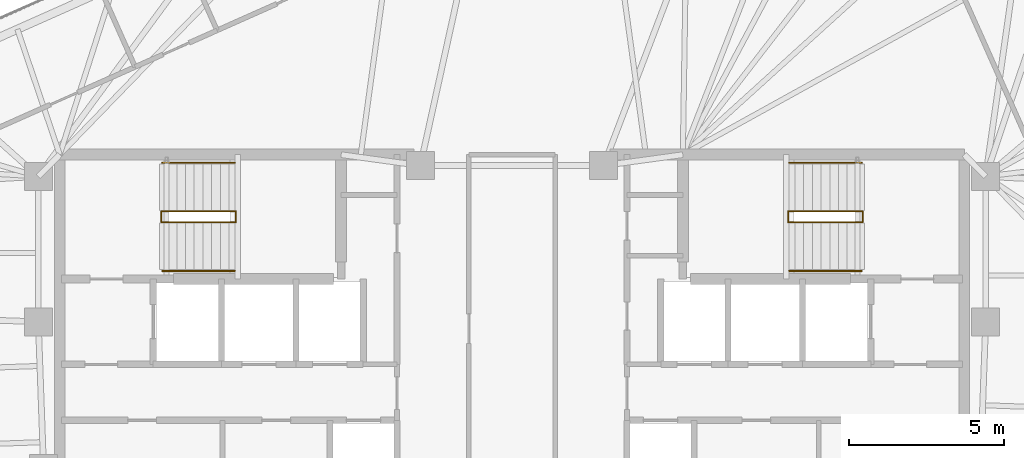
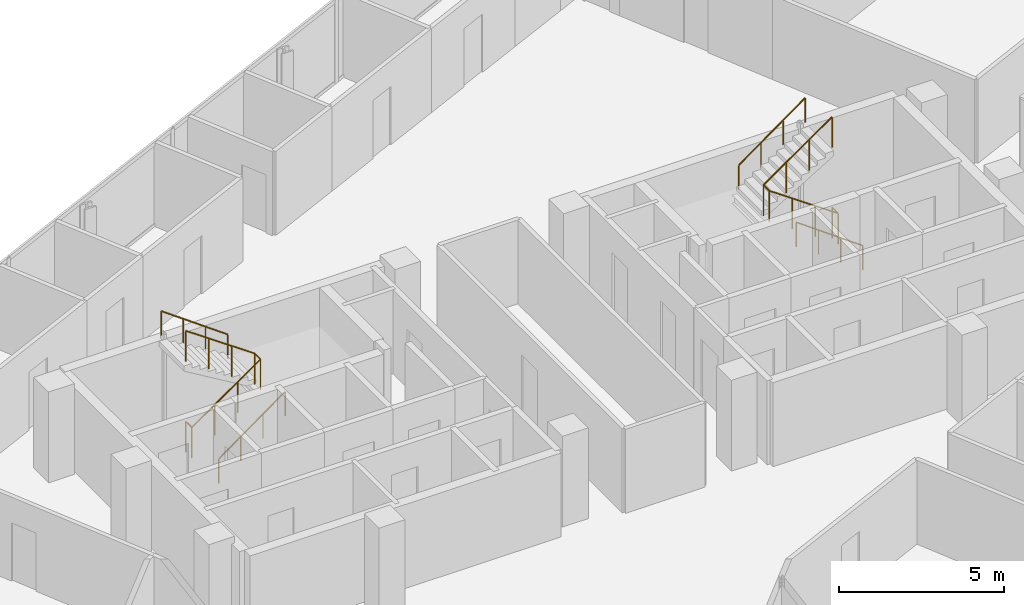
# One storey, part 18 of 18: 6 railings.
"""IFC4 building model written with IfcOpenShell, lengths in metres."""

from ifc_helpers import new_model, si_unit, direction, frame, origin, origin_2d, place, context, subcontext, project, spatial, circle, extrude, material, type_object, element, save


model = new_model("IFC4")

# Units and contexts
model_context = context("Model", 3, precision=1e-05, world=origin(), true_north=direction((0.0, 1.0)))
body_context = subcontext(model_context, "Body", "Model", "MODEL_VIEW")
ifc_project = project(units=[si_unit("LENGTHUNIT", "METRE"), si_unit("AREAUNIT", "SQUARE_METRE"), si_unit("VOLUMEUNIT", "CUBIC_METRE"), si_unit("PLANEANGLEUNIT", "RADIAN"), si_unit("MASSUNIT", "GRAM", prefix="KILO")], contexts=[model_context])

# Site, building, storey
site_placement = place(None, origin())
site = spatial("IfcSite", under=ifc_project, at=site_placement, CompositionType="ELEMENT")
building_placement = place(site_placement, origin())
building = spatial("IfcBuilding", under=site, at=building_placement, Name="Menara Jurai Vektor", CompositionType="ELEMENT")
storey_placement = place(building_placement, frame((0.0, 0.0, 272.25)))
storey = spatial("IfcBuildingStorey", under=building, at=storey_placement, Name="L73", CompositionType="ELEMENT", Elevation=272.25)

# Railings
ifc_material_1 = material(Name="Painted Galvanised Steel Balustrade", Category="steel")
railing_type_1 = type_object("IfcRailingType", Name="RAIL-STAIR-GUARD", PredefinedType="GUARDRAIL", material=ifc_material_1)
railing_1_placement = place(storey_placement, frame((-11.2900390625, 3.780029296875, 0.0)))
element("IfcRailing", 1, at=railing_1_placement, inside=storey, type_object=railing_type_1, Name="ST1 Stair Guardrail 1 L73", PredefinedType="GUARDRAIL", context=body_context, shape_type="SweptSolid", body=[
    extrude(circle(Radius=0.02392578125, at=origin_2d()), frame((0.0, 0.0, 1.1259765625), z_axis=(0.0, -1.0, 0.0), x_axis=(1.0, 0.0, 0.0)), (0.0, 0.0, 1.0), 0.360107421875),
    extrude(circle(Radius=0.02392578125, at=origin_2d()), frame((0.0, -0.360107421875, 1.1259765625), z_axis=(0.820042287322, 0.0, 0.572302932898), x_axis=(0.0, 1.0, 0.0)), (0.0, 0.0, 1.0), 2.9267578125),
    extrude(circle(Radius=0.02392578125, at=origin_2d()), frame((2.400146484375, -0.360107421875, 2.80078125), z_axis=(0.0, 1.0, 0.0), x_axis=(-1.0, 0.0, 0.0)), (0.0, 0.0, 1.0), 0.360107421875),
    extrude(circle(Radius=0.02392578125, at=origin_2d()), frame((2.400146484375, 0.0, 2.80078125), z_axis=(-0.820042287322, 0.0, 0.572302932898), x_axis=(0.0, -1.0, 0.0)), (0.0, 0.0, 1.0), 2.9267578125),
    extrude(circle(Radius=0.02099609375, at=origin_2d()), origin(), (0.0, 0.0, 1.0), 1.101806640625),
    extrude(circle(Radius=0.02099609375, at=origin_2d()), frame((0.0, -0.360107421875, 0.0)), (0.0, 0.0, 1.0), 1.101806640625),
    extrude(circle(Radius=0.02099609375, at=origin_2d()), frame((0.800048828125, -0.360107421875, 0.558349609375)), (0.0, 0.0, 1.0), 1.101806640625),
    extrude(circle(Radius=0.02099609375, at=origin_2d()), frame((1.60009765625, -0.360107421875, 1.11669921875)), (0.0, 0.0, 1.0), 1.101806640625),
    extrude(circle(Radius=0.02099609375, at=origin_2d()), frame((2.400146484375, -0.360107421875, 1.675048828125)), (0.0, 0.0, 1.0), 1.101806640625),
    extrude(circle(Radius=0.02099609375, at=origin_2d()), frame((2.400146484375, 0.0, 1.675048828125)), (0.0, 0.0, 1.0), 1.101806640625),
    extrude(circle(Radius=0.02099609375, at=origin_2d()), frame((1.60009765625, 0.0, 2.2333984375)), (0.0, 0.0, 1.0), 1.101806640625),
    extrude(circle(Radius=0.02099609375, at=origin_2d()), frame((0.800048828125, 0.0, 2.791748046875)), (0.0, 0.0, 1.0), 1.101806640625),
    extrude(circle(Radius=0.02099609375, at=origin_2d()), frame((0.0, 0.0, 3.35009765625)), (0.0, 0.0, 1.0), 1.101806640625),
])
railing_2_placement = place(storey_placement, frame((11.2900390625, 3.780029296875, 0.0)))
element("IfcRailing", 2, at=railing_2_placement, inside=storey, type_object=railing_type_1, Name="ST2 Stair Guardrail 1 L73", PredefinedType="GUARDRAIL", context=body_context, shape_type="SweptSolid", body=[
    extrude(circle(Radius=0.02392578125, at=origin_2d()), frame((0.0, 0.0, 1.1259765625), z_axis=(0.0, -1.0, 0.0), x_axis=(1.0, 0.0, 0.0)), (0.0, 0.0, 1.0), 0.360107421875),
    extrude(circle(Radius=0.02392578125, at=origin_2d()), frame((0.0, -0.360107421875, 1.1259765625), z_axis=(-0.820042287322, 0.0, 0.572302932898), x_axis=(0.0, -1.0, 0.0)), (0.0, 0.0, 1.0), 2.9267578125),
    extrude(circle(Radius=0.02392578125, at=origin_2d()), frame((-2.400146484375, -0.360107421875, 2.80078125), z_axis=(0.0, 1.0, 0.0), x_axis=(-1.0, 0.0, 0.0)), (0.0, 0.0, 1.0), 0.360107421875),
    extrude(circle(Radius=0.02392578125, at=origin_2d()), frame((-2.400146484375, 0.0, 2.80078125), z_axis=(0.820042287322, 0.0, 0.572302932898), x_axis=(0.0, 1.0, 0.0)), (0.0, 0.0, 1.0), 2.9267578125),
    extrude(circle(Radius=0.02099609375, at=origin_2d()), origin(), (0.0, 0.0, 1.0), 1.101806640625),
    extrude(circle(Radius=0.02099609375, at=origin_2d()), frame((0.0, -0.360107421875, 0.0)), (0.0, 0.0, 1.0), 1.101806640625),
    extrude(circle(Radius=0.02099609375, at=origin_2d()), frame((-0.800048828125, -0.360107421875, 0.558349609375)), (0.0, 0.0, 1.0), 1.101806640625),
    extrude(circle(Radius=0.02099609375, at=origin_2d()), frame((-1.60009765625, -0.360107421875, 1.11669921875)), (0.0, 0.0, 1.0), 1.101806640625),
    extrude(circle(Radius=0.02099609375, at=origin_2d()), frame((-2.400146484375, -0.360107421875, 1.675048828125)), (0.0, 0.0, 1.0), 1.101806640625),
    extrude(circle(Radius=0.02099609375, at=origin_2d()), frame((-2.400146484375, 0.0, 1.675048828125)), (0.0, 0.0, 1.0), 1.101806640625),
    extrude(circle(Radius=0.02099609375, at=origin_2d()), frame((-1.60009765625, 0.0, 2.2333984375)), (0.0, 0.0, 1.0), 1.101806640625),
    extrude(circle(Radius=0.02099609375, at=origin_2d()), frame((-0.800048828125, 0.0, 2.791748046875)), (0.0, 0.0, 1.0), 1.101806640625),
    extrude(circle(Radius=0.02099609375, at=origin_2d()), frame((0.0, 0.0, 3.35009765625)), (0.0, 0.0, 1.0), 1.101806640625),
])
ifc_material_2 = material(Name="Brushed Stainless Steel Handrail", Category="steel")
railing_type_2 = type_object("IfcRailingType", Name="RAIL-STAIR-HAND", PredefinedType="HANDRAIL", material=ifc_material_2)
railing_3_placement = place(storey_placement, frame((-11.25, 1.860107421875, 0.0)))
element("IfcRailing", 3, at=railing_3_placement, inside=storey, type_object=railing_type_2, Name="ST1 Stair Handrail 1 L73", PredefinedType="HANDRAIL", context=body_context, shape_type="SweptSolid", body=[
    extrude(circle(Radius=0.02392578125, at=origin_2d()), frame((0.0, 0.0, 0.89599609375), z_axis=(0.810771458067, 0.0, 0.585362830032), x_axis=(0.0, 1.0, 0.0)), (0.0, 0.0, 1.0), 2.861572265625),
    extrude(circle(Radius=0.02099609375, at=origin_2d()), origin(), (0.0, 0.0, 1.0), 0.871826171875),
    extrude(circle(Radius=0.02099609375, at=origin_2d()), frame((0.7734375, 0.0, 0.558349609375)), (0.0, 0.0, 1.0), 0.871826171875),
    extrude(circle(Radius=0.02099609375, at=origin_2d()), frame((1.546630859375, 0.0, 1.11669921875)), (0.0, 0.0, 1.0), 0.871826171875),
    extrude(circle(Radius=0.02099609375, at=origin_2d()), frame((2.320068359375, 0.0, 1.675048828125)), (0.0, 0.0, 1.0), 0.871826171875),
])
for number, where, name in (
    (4, (-8.929931640625, 5.340087890625, 1.675048828125), "ST1 Stair Handrail 2 L73"),
    (5, (11.25, 1.860107421875, 0.0), "ST2 Stair Handrail 1 L73"),
):
    element("IfcRailing", number, at=place(storey_placement, frame(where)), inside=storey, type_object=railing_type_2, Name=name, PredefinedType="HANDRAIL", context=body_context, shape_type="SweptSolid", body=[
        extrude(circle(Radius=0.02392578125, at=origin_2d()), frame((0.0, 0.0, 0.89599609375), z_axis=(-0.810771458067, 0.0, 0.585362830032), x_axis=(0.0, -1.0, 0.0)), (0.0, 0.0, 1.0), 2.861572265625),
        extrude(circle(Radius=0.02099609375, at=origin_2d()), origin(), (0.0, 0.0, 1.0), 0.871826171875),
        extrude(circle(Radius=0.02099609375, at=origin_2d()), frame((-0.7734375, 0.0, 0.558349609375)), (0.0, 0.0, 1.0), 0.871826171875),
        extrude(circle(Radius=0.02099609375, at=origin_2d()), frame((-1.546630859375, 0.0, 1.11669921875)), (0.0, 0.0, 1.0), 0.871826171875),
        extrude(circle(Radius=0.02099609375, at=origin_2d()), frame((-2.320068359375, 0.0, 1.675048828125)), (0.0, 0.0, 1.0), 0.871826171875),
    ])
railing_4_placement = place(storey_placement, frame((8.929931640625, 5.340087890625, 1.675048828125)))
element("IfcRailing", 6, at=railing_4_placement, inside=storey, type_object=railing_type_2, Name="ST2 Stair Handrail 2 L73", PredefinedType="HANDRAIL", context=body_context, shape_type="SweptSolid", body=[
    extrude(circle(Radius=0.02392578125, at=origin_2d()), frame((0.0, 0.0, 0.89599609375), z_axis=(0.810771458067, 0.0, 0.585362830032), x_axis=(0.0, 1.0, 0.0)), (0.0, 0.0, 1.0), 2.861572265625),
    extrude(circle(Radius=0.02099609375, at=origin_2d()), origin(), (0.0, 0.0, 1.0), 0.871826171875),
    extrude(circle(Radius=0.02099609375, at=origin_2d()), frame((0.7734375, 0.0, 0.558349609375)), (0.0, 0.0, 1.0), 0.871826171875),
    extrude(circle(Radius=0.02099609375, at=origin_2d()), frame((1.546630859375, 0.0, 1.11669921875)), (0.0, 0.0, 1.0), 0.871826171875),
    extrude(circle(Radius=0.02099609375, at=origin_2d()), frame((2.320068359375, 0.0, 1.675048828125)), (0.0, 0.0, 1.0), 0.871826171875),
])

save(model, "model.ifc")
